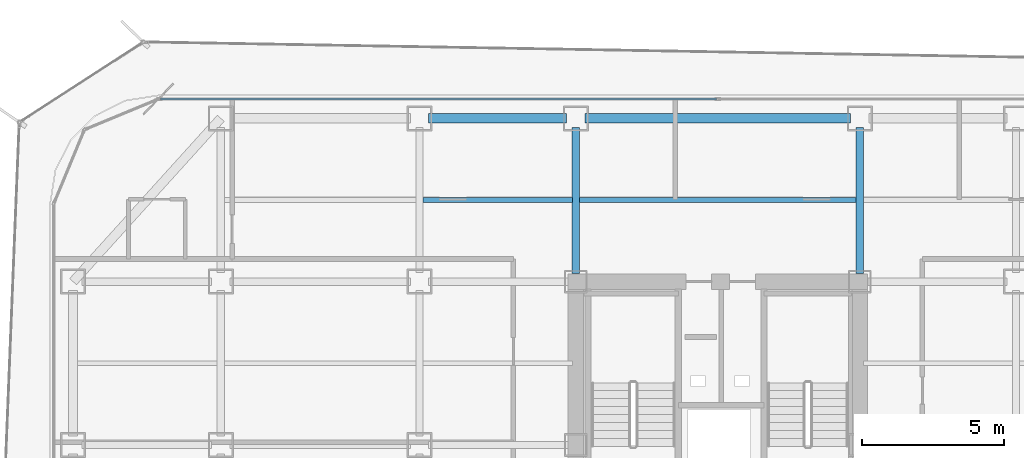
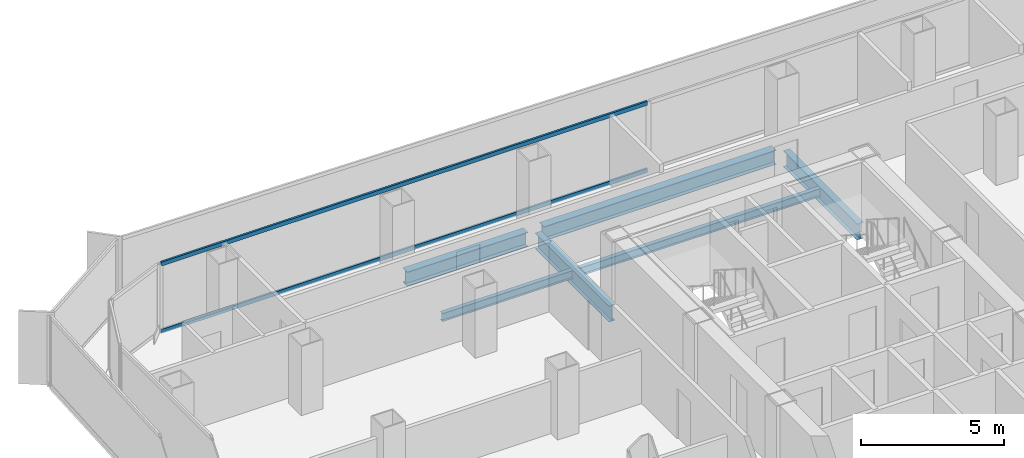
# One storey, part 11 of 21: 6 beams, 2 members, 1 element without a shape of its own.
"""IFC4 building model written with IfcOpenShell, lengths in metres."""

from ifc_helpers import new_model, si_unit, direction, frame, origin, origin_2d, place, context, subcontext, project, spatial, hollow_rectangle, i_section, extrude, source, transform, mapped, material, layer, layer_set, material_profile, profile_set, type_object, element, aggregate, save


model = new_model("IFC4")

# Units and contexts
model_context = context("Model", 3, precision=1e-05, world=origin(), true_north=direction((0.0, 1.0)))
body_context = subcontext(model_context, "Body", "Model", "MODEL_VIEW")
ifc_project = project(units=[si_unit("LENGTHUNIT", "METRE"), si_unit("AREAUNIT", "SQUARE_METRE"), si_unit("VOLUMEUNIT", "CUBIC_METRE"), si_unit("PLANEANGLEUNIT", "RADIAN"), si_unit("MASSUNIT", "GRAM", prefix="KILO")], contexts=[model_context])

# Site, building, storey
site_placement = place(None, origin())
site = spatial("IfcSite", under=ifc_project, at=site_placement, CompositionType="ELEMENT")
building_placement = place(site_placement, origin())
building = spatial("IfcBuilding", under=site, at=building_placement, Name="Kolveth Station Tower", CompositionType="ELEMENT")
storey_placement = place(building_placement, frame((0.0, 0.0, 108.699951171875)))
storey = spatial("IfcBuildingStorey", under=building, at=storey_placement, Name="L29", CompositionType="ELEMENT", Elevation=108.699951171875)

# Beams
ifc_material_1 = material(Name="Steel S355", Category="steel")
ifc_material_profile_1 = material_profile(ifc_material_1, i_section(OverallWidth=0.323974609375, OverallDepth=0.611083984375, WebThickness=0.0126953125, FlangeThickness=0.01904296875, at=origin_2d()), Name="W610x155")
ifc_profile_set_1 = profile_set([ifc_material_profile_1], Name="Steel S355")
beam_type_1 = type_object("IfcBeamType", Name="Beam_SP2", PredefinedType="SPANDREL", material=ifc_profile_set_1)
shared_shape_1 = source(origin(), body_context, "Body", "SweptSolid", [
    extrude(i_section(OverallWidth=0.323974609375, OverallDepth=0.611083984375, WebThickness=0.0126953125, FlangeThickness=0.01904296875, at=origin_2d()), origin(), (0.0, 0.0, 1.0), 4.85986328125),
])
beam_1_placement = place(storey_placement, frame((13.320068359375, 34.5, -0.555419921875), z_axis=(1.0, 0.0, 0.0), x_axis=(0.0, 1.0, 0.0)))
element("IfcBeam", 1, at=beam_1_placement, inside=storey, type_object=beam_type_1, Name="L29 Perimeter Spandrel BM-L29-PN-2", PredefinedType="SPANDREL", context=body_context, shape_type="MappedRepresentation", body=[
    mapped(shared_shape_1, transform((0.0, 0.0, 0.0), x_axis=(1.0, 0.0, 0.0), y_axis=(0.0, 1.0, 0.0), z_axis=(0.0, 0.0, 1.0), scale=1.0)),
])
shared_shape_2 = source(origin(), body_context, "Body", "SweptSolid", [
    extrude(i_section(OverallWidth=0.323974609375, OverallDepth=0.611083984375, WebThickness=0.0126953125, FlangeThickness=0.01904296875, at=origin_2d()), origin(), (0.0, 0.0, 1.0), 9.35986328125),
])
beam_2_placement = place(storey_placement, frame((18.820068359375, 34.5, -0.555419921875), z_axis=(1.0, 0.0, 0.0), x_axis=(0.0, 1.0, 0.0)))
element("IfcBeam", 2, at=beam_2_placement, inside=storey, type_object=beam_type_1, Name="L29 Perimeter Spandrel BM-L29-PN-3", PredefinedType="SPANDREL", context=body_context, shape_type="MappedRepresentation", body=[
    mapped(shared_shape_2, transform((0.0, 0.0, 0.0), x_axis=(1.0, 0.0, 0.0), y_axis=(0.0, 1.0, 0.0), z_axis=(0.0, 0.0, 1.0), scale=1.0)),
])
ifc_material_profile_2 = material_profile(ifc_material_1, i_section(OverallWidth=0.25390625, OverallDepth=0.68798828125, WebThickness=0.01318359375, FlangeThickness=0.02099609375, at=origin_2d()), Name="W690x152")
ifc_profile_set_2 = profile_set([ifc_material_profile_2], Name="Steel S355")
beam_type_2 = type_object("IfcBeamType", Name="Beam_B4", PredefinedType="BEAM", material=ifc_profile_set_2)
shared_shape_3 = source(origin(), body_context, "Body", "SweptSolid", [
    extrude(i_section(OverallWidth=0.25390625, OverallDepth=0.68798828125, WebThickness=0.01318359375, FlangeThickness=0.02099609375, at=origin_2d()), origin(), (0.0, 0.0, 1.0), 5.14990234375),
])
for number, where, z_axis, x_axis, name in (
    (3, (18.5, 29.030029296875, -0.593994140625), (0.0, 1.0, 0.0), (-1.0, 0.0, 0.0), "L29 Primary Girder BM-L29-GX185-6"),
    (4, (28.5, 29.030029296875, -0.593994140625), (0.0, 1.0, 0.0), (-1.0, 0.0, 0.0), "L29 Primary Girder BM-L29-GX285-6"),
):
    element("IfcBeam", number, at=place(storey_placement, frame(where, z_axis=z_axis, x_axis=x_axis)), inside=storey, type_object=beam_type_2, Name=name, PredefinedType="BEAM", context=body_context, shape_type="MappedRepresentation", body=[
        mapped(shared_shape_3, transform((0.0, 0.0, 0.0), x_axis=(1.0, 0.0, 0.0), y_axis=(0.0, 1.0, 0.0), z_axis=(0.0, 0.0, 1.0), scale=1.0)),
    ])
ifc_material_profile_3 = material_profile(ifc_material_1, i_section(OverallWidth=0.1708984375, OverallDepth=0.35205078125, WebThickness=0.0068359375, FlangeThickness=0.009765625, at=origin_2d()), Name="W360x44")
ifc_profile_set_3 = profile_set([ifc_material_profile_3], Name="Steel S355")
beam_type_3 = type_object("IfcBeamType", Name="Beam_J2", PredefinedType="JOIST", material=ifc_profile_set_3)
shared_shape_4 = source(origin(), body_context, "Body", "SweptSolid", [
    extrude(i_section(OverallWidth=0.1708984375, OverallDepth=0.35205078125, WebThickness=0.0068359375, FlangeThickness=0.009765625, at=origin_2d()), origin(), (0.0, 0.0, 1.0), 5.25),
])
beam_3_placement = place(storey_placement, frame((13.125, 31.625, -0.426025390625), z_axis=(1.0, 0.0, 0.0), x_axis=(0.0, 1.0, 0.0)))
element("IfcBeam", 5, at=beam_3_placement, inside=storey, type_object=beam_type_3, Name="L29 Secondary Joist JST-L29-3-6", PredefinedType="JOIST", context=body_context, shape_type="MappedRepresentation", body=[
    mapped(shared_shape_4, transform((0.0, 0.0, 0.0), x_axis=(1.0, 0.0, 0.0), y_axis=(0.0, 1.0, 0.0), z_axis=(0.0, 0.0, 1.0), scale=1.0)),
])
shared_shape_5 = source(origin(), body_context, "Body", "SweptSolid", [
    extrude(i_section(OverallWidth=0.1708984375, OverallDepth=0.35205078125, WebThickness=0.0068359375, FlangeThickness=0.009765625, at=origin_2d()), origin(), (0.0, 0.0, 1.0), 9.75),
])
beam_4_placement = place(storey_placement, frame((18.625, 31.625, -0.426025390625), z_axis=(1.0, 0.0, 0.0), x_axis=(0.0, 1.0, 0.0)))
element("IfcBeam", 6, at=beam_4_placement, inside=storey, type_object=beam_type_3, Name="L29 Secondary Joist JST-L29-4-6", PredefinedType="JOIST", context=body_context, shape_type="MappedRepresentation", body=[
    mapped(shared_shape_5, transform((0.0, 0.0, 0.0), x_axis=(1.0, 0.0, 0.0), y_axis=(0.0, 1.0, 0.0), z_axis=(0.0, 0.0, 1.0), scale=1.0)),
])

# Curtain wall, members
ifc_material_2 = material(Name="Aluminium 6063-T6 and low-E dark glass", Category="aluminium")
ifc_layer = layer(ifc_material_2, 0.18994140625)
ifc_layer_set = layer_set([ifc_layer], Name="Aluminium 6063-T6 and low-E dark glass")
curtain_wall_type = type_object("IfcCurtainWallType", Name="CurtainWall_CW-Z2", PredefinedType="NOTDEFINED", material=ifc_layer_set)
curtain_wall_placement = place(storey_placement, origin())
curtain_wall = element("IfcCurtainWall", 7, at=curtain_wall_placement, inside=storey, type_object=curtain_wall_type, Name="L29 Inner Thermal Curtain Wall 6", PredefinedType="NOTDEFINED")
ifc_material_3 = material(Name="Black anodized aluminium 6063-T6", Category="aluminium")
ifc_material_profile_4 = material_profile(ifc_material_3, hollow_rectangle(XDim=0.080078125, YDim=0.169921875, WallThickness=0.0048828125, at=origin_2d()), Name="ALU-80x170x5")
ifc_profile_set_4 = profile_set([ifc_material_profile_4], Name="Black anodized aluminium 6063-T6")
member_type = type_object("IfcMemberType", Name="Transom_TR2", PredefinedType="USERDEFINED", material=ifc_profile_set_4)
shared_shape_6 = source(origin(), body_context, "Body", "SweptSolid", [
    extrude(hollow_rectangle(XDim=0.080078125, YDim=0.169921875, WallThickness=0.0048828125, at=origin_2d()), origin(), (0.0, 0.0, 1.0), 19.580078125),
])
member_1_placement = place(storey_placement, frame((23.4599609375, 35.179931640625, 0.0400390625), z_axis=(-1.0, 0.0, 0.0), x_axis=(0.0, -1.0, 0.0)))
member_1 = element("IfcMember", 8, at=member_1_placement, type_object=member_type, Name="CW-Z2 transom 2.1", ObjectType="TRANSOM", PredefinedType="USERDEFINED", context=body_context, shape_type="MappedRepresentation", body=[
    mapped(shared_shape_6, transform((0.0, 0.0, 0.0), x_axis=(1.0, 0.0, 0.0), y_axis=(0.0, 1.0, 0.0), z_axis=(0.0, 0.0, 1.0), scale=1.0)),
])
member_2_placement = place(storey_placement, frame((23.4599609375, 35.179931640625, 2.91015625), z_axis=(-1.0, 0.0, 0.0), x_axis=(0.0, -1.0, 0.0)))
member_2 = element("IfcMember", 9, at=member_2_placement, type_object=member_type, Name="CW-Z2 transom 2.2", ObjectType="TRANSOM", PredefinedType="USERDEFINED", context=body_context, shape_type="MappedRepresentation", body=[
    mapped(shared_shape_6, transform((0.0, 0.0, 0.0), x_axis=(1.0, 0.0, 0.0), y_axis=(0.0, 1.0, 0.0), z_axis=(0.0, 0.0, 1.0), scale=1.0)),
])
aggregate(curtain_wall, [member_1, member_2])

save(model, "model.ifc")
